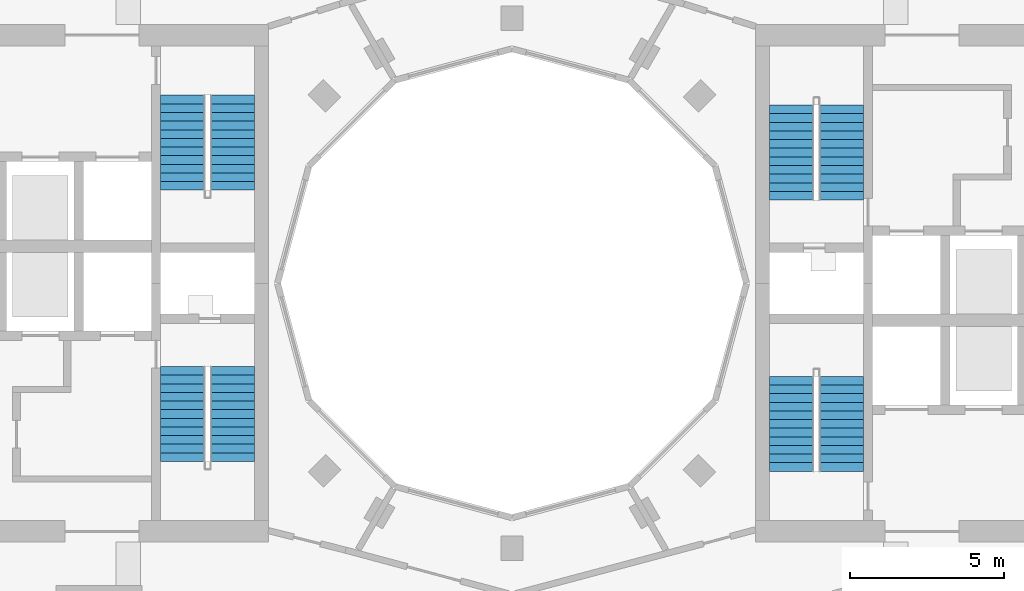
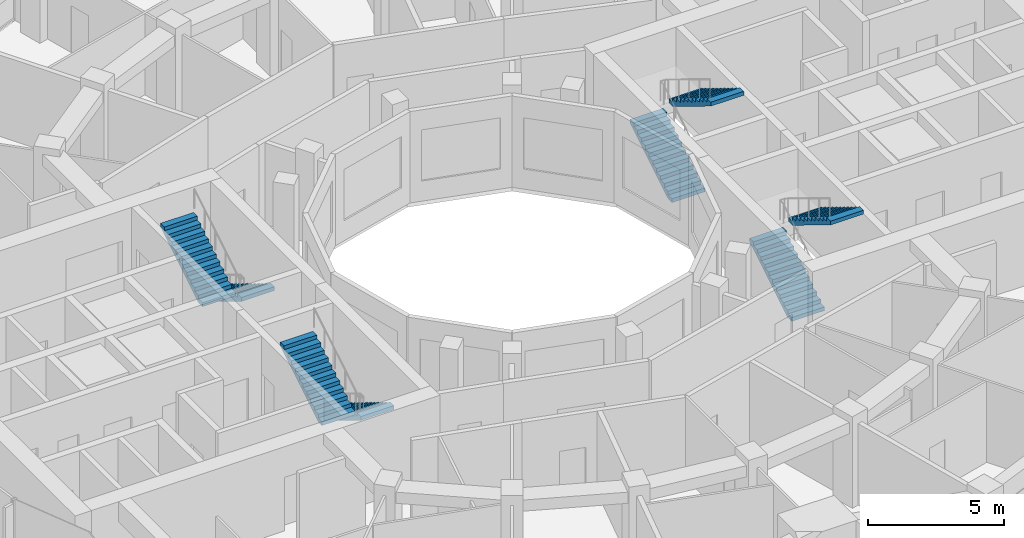
# One storey, part 13 of 15: 8 stair flights, 4 elements without a shape of their own.
"""IFC4 building model written with IfcOpenShell, lengths in metres."""

from ifc_helpers import new_model, si_unit, direction, frame, origin, place, context, subcontext, project, spatial, polyline, outline, extrude, material, layer, layer_set, type_object, element, aggregate, save


model = new_model("IFC4")

# Units and contexts
model_context = context("Model", 3, precision=1e-05, world=origin(), true_north=direction((0.0, 1.0)))
body_context = subcontext(model_context, "Body", "Model", "MODEL_VIEW")
ifc_project = project(units=[si_unit("LENGTHUNIT", "METRE"), si_unit("AREAUNIT", "SQUARE_METRE"), si_unit("VOLUMEUNIT", "CUBIC_METRE"), si_unit("PLANEANGLEUNIT", "RADIAN"), si_unit("MASSUNIT", "GRAM", prefix="KILO")], contexts=[model_context])

# Site, building, storey
site_placement = place(None, origin())
site = spatial("IfcSite", under=ifc_project, at=site_placement, CompositionType="ELEMENT")
building_placement = place(site_placement, origin())
building = spatial("IfcBuilding", under=site, at=building_placement, Name="Torre Brocal", CompositionType="ELEMENT")
storey_placement = place(building_placement, frame((0.0, 0.0, 174.10009765625)))
storey = spatial("IfcBuildingStorey", under=building, at=storey_placement, Name="L40", CompositionType="ELEMENT", Elevation=174.10009765625)

# Stair, stair flights
ifc_material_1 = material(Name="Concrete C50", Category="concrete")
stair_type = type_object("IfcStairType", Name="EXIT STAIR", PredefinedType="HALF_TURN_STAIR", material=ifc_material_1)
stair_1_placement = place(storey_placement, origin())
stair_1 = element("IfcStair", 1, at=stair_1_placement, inside=storey, type_object=stair_type, Name="EXIT STAIR ST1", PredefinedType="HALF_TURN_STAIR")
ifc_material_2 = material(Name="Concrete C50", Category="concrete")
ifc_layer = layer(ifc_material_2, 0.14990234375)
ifc_layer_set = layer_set([ifc_layer], Name="Concrete C50")
stair_flight_type = type_object("IfcStairFlightType", Name="STAIR FLIGHT", PredefinedType="STRAIGHT", material=ifc_layer_set)
stair_flight_1_placement = place(storey_placement, frame((89.050048828125, 77.699951171875, 0.0), z_axis=(0.0, 0.0, 1.0), x_axis=(0.0, 1.0, 0.0)))
stair_flight_1 = element("IfcStairFlight", 2, at=stair_flight_1_placement, type_object=stair_flight_type, Name="ST1 flight 1", NumberOfRisers=12, NumberOfTreads=11, PredefinedType="STRAIGHT", RiserHeight=0.170833333, TreadLength=0.28, context=body_context, shape_type="SweptSolid", body=[
    extrude(outline(polyline([(0.0, 0.0), (0.0, 0.1708984375), (0.280029296875, 0.1708984375), (0.280029296875, 0.341552734375), (0.56005859375, 0.341552734375), (0.56005859375, 0.512451171875), (0.840087890625, 0.512451171875), (0.840087890625, 0.683349609375), (1.1201171875, 0.683349609375), (1.1201171875, 0.854248046875), (1.39990234375, 0.854248046875), (1.39990234375, 1.02490234375), (1.679931640625, 1.02490234375), (1.679931640625, 1.19580078125), (1.9599609375, 1.19580078125), (1.9599609375, 1.36669921875), (2.239990234375, 1.36669921875), (2.239990234375, 1.53759765625), (2.52001953125, 1.53759765625), (2.52001953125, 1.708251953125), (2.800048828125, 1.708251953125), (2.800048828125, 1.879150390625), (3.080078125, 1.879150390625), (3.080078125, 2.050048828125), (3.080078125, 1.70361328125), (0.287841796875, 0.0), (0.0, 0.0)])), frame((0.0, 0.699951171875, 0.0), z_axis=(0.0, -1.0, 0.0), x_axis=(1.0, 0.0, 0.0)), (0.0, 0.0, 1.0), 1.39990234375),
])
stair_flight_2_placement = place(storey_placement, frame((90.699951171875, 80.780029296875, 2.0498046875), z_axis=(0.0, 0.0, 1.0), x_axis=(0.0, -1.0, 0.0)))
stair_flight_2 = element("IfcStairFlight", 3, at=stair_flight_2_placement, type_object=stair_flight_type, Name="ST1 flight 2", NumberOfRisers=12, NumberOfTreads=11, PredefinedType="STRAIGHT", RiserHeight=0.170833333, TreadLength=0.28, context=body_context, shape_type="SweptSolid", body=[
    extrude(outline(polyline([(0.0, 0.0), (0.0, 0.1708984375), (0.280029296875, 0.1708984375), (0.280029296875, 0.341552734375), (0.56005859375, 0.341552734375), (0.56005859375, 0.512451171875), (0.840087890625, 0.512451171875), (0.840087890625, 0.683349609375), (1.1201171875, 0.683349609375), (1.1201171875, 0.854248046875), (1.39990234375, 0.854248046875), (1.39990234375, 1.02490234375), (1.679931640625, 1.02490234375), (1.679931640625, 1.19580078125), (1.9599609375, 1.19580078125), (1.9599609375, 1.36669921875), (2.239990234375, 1.36669921875), (2.239990234375, 1.53759765625), (2.52001953125, 1.53759765625), (2.52001953125, 1.708251953125), (2.800048828125, 1.708251953125), (2.800048828125, 1.879150390625), (3.080078125, 1.879150390625), (3.080078125, 2.050048828125), (3.080078125, 1.70361328125), (0.287841796875, 0.0), (0.0, 0.0)])), frame((0.0, 0.699951171875, 0.0), z_axis=(0.0, -1.0, 0.0), x_axis=(1.0, 0.0, 0.0)), (0.0, 0.0, 1.0), 1.39990234375),
])
aggregate(stair_1, [stair_flight_1, stair_flight_2])

stair_2_placement = place(storey_placement, origin())
stair_2 = element("IfcStair", 4, at=stair_2_placement, inside=storey, type_object=stair_type, Name="EXIT STAIR ST2", PredefinedType="HALF_TURN_STAIR")
stair_flight_3_placement = place(storey_placement, frame((89.050048828125, 68.89990234375, 0.0), z_axis=(0.0, 0.0, 1.0), x_axis=(0.0, 1.0, 0.0)))
stair_flight_3 = element("IfcStairFlight", 5, at=stair_flight_3_placement, type_object=stair_flight_type, Name="ST2 flight 1", NumberOfRisers=12, NumberOfTreads=11, PredefinedType="STRAIGHT", RiserHeight=0.170833333, TreadLength=0.28, context=body_context, shape_type="SweptSolid", body=[
    extrude(outline(polyline([(0.0, 0.0), (0.0, 0.1708984375), (0.280029296875, 0.1708984375), (0.280029296875, 0.341552734375), (0.56005859375, 0.341552734375), (0.56005859375, 0.512451171875), (0.840087890625, 0.512451171875), (0.840087890625, 0.683349609375), (1.1201171875, 0.683349609375), (1.1201171875, 0.854248046875), (1.39990234375, 0.854248046875), (1.39990234375, 1.02490234375), (1.679931640625, 1.02490234375), (1.679931640625, 1.19580078125), (1.9599609375, 1.19580078125), (1.9599609375, 1.36669921875), (2.239990234375, 1.36669921875), (2.239990234375, 1.53759765625), (2.52001953125, 1.53759765625), (2.52001953125, 1.708251953125), (2.800048828125, 1.708251953125), (2.800048828125, 1.879150390625), (3.080078125, 1.879150390625), (3.080078125, 2.050048828125), (3.080078125, 1.70361328125), (0.287841796875, 0.0), (0.0, 0.0)])), frame((0.0, 0.699951171875, 0.0), z_axis=(0.0, -1.0, 0.0), x_axis=(1.0, 0.0, 0.0)), (0.0, 0.0, 1.0), 1.39990234375),
])
stair_flight_4_placement = place(storey_placement, frame((90.699951171875, 71.97998046875, 2.0498046875), z_axis=(0.0, 0.0, 1.0), x_axis=(0.0, -1.0, 0.0)))
stair_flight_4 = element("IfcStairFlight", 6, at=stair_flight_4_placement, type_object=stair_flight_type, Name="ST2 flight 2", NumberOfRisers=12, NumberOfTreads=11, PredefinedType="STRAIGHT", RiserHeight=0.170833333, TreadLength=0.28, context=body_context, shape_type="SweptSolid", body=[
    extrude(outline(polyline([(0.0, 0.0), (0.0, 0.1708984375), (0.280029296875, 0.1708984375), (0.280029296875, 0.341552734375), (0.56005859375, 0.341552734375), (0.56005859375, 0.512451171875), (0.840087890625, 0.512451171875), (0.840087890625, 0.683349609375), (1.1201171875, 0.683349609375), (1.1201171875, 0.854248046875), (1.39990234375, 0.854248046875), (1.39990234375, 1.02490234375), (1.679931640625, 1.02490234375), (1.679931640625, 1.19580078125), (1.9599609375, 1.19580078125), (1.9599609375, 1.36669921875), (2.239990234375, 1.36669921875), (2.239990234375, 1.53759765625), (2.52001953125, 1.53759765625), (2.52001953125, 1.708251953125), (2.800048828125, 1.708251953125), (2.800048828125, 1.879150390625), (3.080078125, 1.879150390625), (3.080078125, 2.050048828125), (3.080078125, 1.70361328125), (0.287841796875, 0.0), (0.0, 0.0)])), frame((0.0, 0.699951171875, 0.0), z_axis=(0.0, -1.0, 0.0), x_axis=(1.0, 0.0, 0.0)), (0.0, 0.0, 1.0), 1.39990234375),
])
aggregate(stair_2, [stair_flight_3, stair_flight_4])

stair_3_placement = place(storey_placement, origin())
stair_3 = element("IfcStair", 7, at=stair_3_placement, inside=storey, type_object=stair_type, Name="EXIT STAIR ST3", PredefinedType="HALF_TURN_STAIR")
stair_flight_5_placement = place(storey_placement, frame((70.949951171875, 72.300048828125, 0.0), z_axis=(0.0, 0.0, 1.0), x_axis=(0.0, -1.0, 0.0)))
stair_flight_5 = element("IfcStairFlight", 8, at=stair_flight_5_placement, type_object=stair_flight_type, Name="ST3 flight 1", NumberOfRisers=12, NumberOfTreads=11, PredefinedType="STRAIGHT", RiserHeight=0.170833333, TreadLength=0.28, context=body_context, shape_type="SweptSolid", body=[
    extrude(outline(polyline([(0.0, 0.0), (0.0, 0.1708984375), (0.280029296875, 0.1708984375), (0.280029296875, 0.341552734375), (0.56005859375, 0.341552734375), (0.56005859375, 0.512451171875), (0.840087890625, 0.512451171875), (0.840087890625, 0.683349609375), (1.1201171875, 0.683349609375), (1.1201171875, 0.854248046875), (1.39990234375, 0.854248046875), (1.39990234375, 1.02490234375), (1.679931640625, 1.02490234375), (1.679931640625, 1.19580078125), (1.9599609375, 1.19580078125), (1.9599609375, 1.36669921875), (2.239990234375, 1.36669921875), (2.239990234375, 1.53759765625), (2.52001953125, 1.53759765625), (2.52001953125, 1.708251953125), (2.800048828125, 1.708251953125), (2.800048828125, 1.879150390625), (3.080078125, 1.879150390625), (3.080078125, 2.050048828125), (3.080078125, 1.70361328125), (0.287841796875, 0.0), (0.0, 0.0)])), frame((0.0, 0.699951171875, 0.0), z_axis=(0.0, -1.0, 0.0), x_axis=(1.0, 0.0, 0.0)), (0.0, 0.0, 1.0), 1.39990234375),
])
stair_flight_6_placement = place(storey_placement, frame((69.300048828125, 69.219970703125, 2.0498046875), z_axis=(0.0, 0.0, 1.0), x_axis=(0.0, 1.0, 0.0)))
stair_flight_6 = element("IfcStairFlight", 9, at=stair_flight_6_placement, type_object=stair_flight_type, Name="ST3 flight 2", NumberOfRisers=12, NumberOfTreads=11, PredefinedType="STRAIGHT", RiserHeight=0.170833333, TreadLength=0.28, context=body_context, shape_type="SweptSolid", body=[
    extrude(outline(polyline([(0.0, 0.0), (0.0, 0.1708984375), (0.280029296875, 0.1708984375), (0.280029296875, 0.341552734375), (0.56005859375, 0.341552734375), (0.56005859375, 0.512451171875), (0.840087890625, 0.512451171875), (0.840087890625, 0.683349609375), (1.1201171875, 0.683349609375), (1.1201171875, 0.854248046875), (1.39990234375, 0.854248046875), (1.39990234375, 1.02490234375), (1.679931640625, 1.02490234375), (1.679931640625, 1.19580078125), (1.9599609375, 1.19580078125), (1.9599609375, 1.36669921875), (2.239990234375, 1.36669921875), (2.239990234375, 1.53759765625), (2.52001953125, 1.53759765625), (2.52001953125, 1.708251953125), (2.800048828125, 1.708251953125), (2.800048828125, 1.879150390625), (3.080078125, 1.879150390625), (3.080078125, 2.050048828125), (3.080078125, 1.70361328125), (0.287841796875, 0.0), (0.0, 0.0)])), frame((0.0, 0.699951171875, 0.0), z_axis=(0.0, -1.0, 0.0), x_axis=(1.0, 0.0, 0.0)), (0.0, 0.0, 1.0), 1.39990234375),
])
aggregate(stair_3, [stair_flight_5, stair_flight_6])

stair_4_placement = place(storey_placement, origin())
stair_4 = element("IfcStair", 10, at=stair_4_placement, inside=storey, type_object=stair_type, Name="EXIT STAIR ST4", PredefinedType="HALF_TURN_STAIR")
stair_flight_7_placement = place(storey_placement, frame((70.949951171875, 81.10009765625, 0.0), z_axis=(0.0, 0.0, 1.0), x_axis=(0.0, -1.0, 0.0)))
stair_flight_7 = element("IfcStairFlight", 11, at=stair_flight_7_placement, type_object=stair_flight_type, Name="ST4 flight 1", NumberOfRisers=12, NumberOfTreads=11, PredefinedType="STRAIGHT", RiserHeight=0.170833333, TreadLength=0.28, context=body_context, shape_type="SweptSolid", body=[
    extrude(outline(polyline([(0.0, 0.0), (0.0, 0.1708984375), (0.280029296875, 0.1708984375), (0.280029296875, 0.341552734375), (0.56005859375, 0.341552734375), (0.56005859375, 0.512451171875), (0.840087890625, 0.512451171875), (0.840087890625, 0.683349609375), (1.1201171875, 0.683349609375), (1.1201171875, 0.854248046875), (1.39990234375, 0.854248046875), (1.39990234375, 1.02490234375), (1.679931640625, 1.02490234375), (1.679931640625, 1.19580078125), (1.9599609375, 1.19580078125), (1.9599609375, 1.36669921875), (2.239990234375, 1.36669921875), (2.239990234375, 1.53759765625), (2.52001953125, 1.53759765625), (2.52001953125, 1.708251953125), (2.800048828125, 1.708251953125), (2.800048828125, 1.879150390625), (3.080078125, 1.879150390625), (3.080078125, 2.050048828125), (3.080078125, 1.70361328125), (0.287841796875, 0.0), (0.0, 0.0)])), frame((0.0, 0.699951171875, 0.0), z_axis=(0.0, -1.0, 0.0), x_axis=(1.0, 0.0, 0.0)), (0.0, 0.0, 1.0), 1.39990234375),
])
stair_flight_8_placement = place(storey_placement, frame((69.300048828125, 78.02001953125, 2.0498046875), z_axis=(0.0, 0.0, 1.0), x_axis=(0.0, 1.0, 0.0)))
stair_flight_8 = element("IfcStairFlight", 12, at=stair_flight_8_placement, type_object=stair_flight_type, Name="ST4 flight 2", NumberOfRisers=12, NumberOfTreads=11, PredefinedType="STRAIGHT", RiserHeight=0.170833333, TreadLength=0.28, context=body_context, shape_type="SweptSolid", body=[
    extrude(outline(polyline([(0.0, 0.0), (0.0, 0.1708984375), (0.280029296875, 0.1708984375), (0.280029296875, 0.341552734375), (0.56005859375, 0.341552734375), (0.56005859375, 0.512451171875), (0.840087890625, 0.512451171875), (0.840087890625, 0.683349609375), (1.1201171875, 0.683349609375), (1.1201171875, 0.854248046875), (1.39990234375, 0.854248046875), (1.39990234375, 1.02490234375), (1.679931640625, 1.02490234375), (1.679931640625, 1.19580078125), (1.9599609375, 1.19580078125), (1.9599609375, 1.36669921875), (2.239990234375, 1.36669921875), (2.239990234375, 1.53759765625), (2.52001953125, 1.53759765625), (2.52001953125, 1.708251953125), (2.800048828125, 1.708251953125), (2.800048828125, 1.879150390625), (3.080078125, 1.879150390625), (3.080078125, 2.050048828125), (3.080078125, 1.70361328125), (0.287841796875, 0.0), (0.0, 0.0)])), frame((0.0, 0.699951171875, 0.0), z_axis=(0.0, -1.0, 0.0), x_axis=(1.0, 0.0, 0.0)), (0.0, 0.0, 1.0), 1.39990234375),
])
aggregate(stair_4, [stair_flight_7, stair_flight_8])

save(model, "model.ifc")
